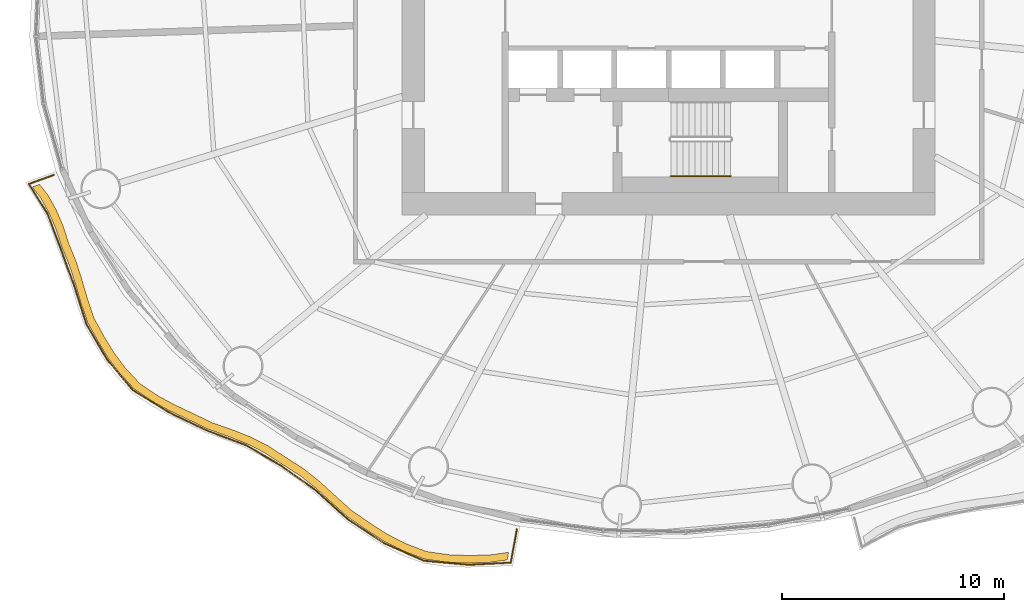
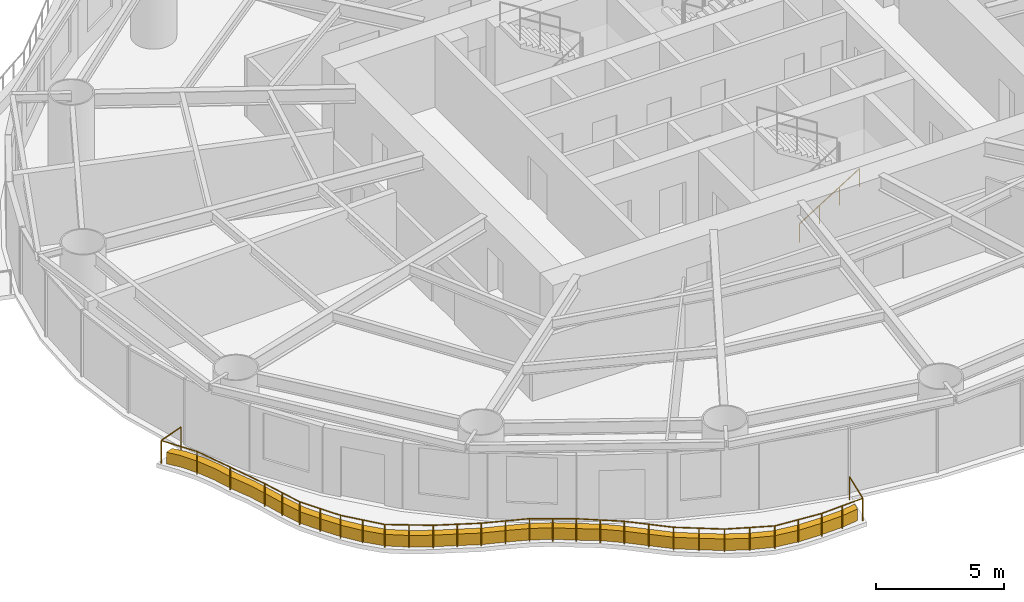
# One storey, part 12 of 16: 2 railings, 1 covering.
"""IFC4 building model written with IfcOpenShell, lengths in metres."""

from ifc_helpers import new_model, si_unit, direction, frame, origin, origin_2d, place, context, subcontext, project, spatial, polyline, circle, outline, extrude, material, type_object, element, save


model = new_model("IFC4")

# Units and contexts
model_context = context("Model", 3, precision=1e-05, world=origin(), true_north=direction((0.0, 1.0)))
body_context = subcontext(model_context, "Body", "Model", "MODEL_VIEW")
ifc_project = project(units=[si_unit("LENGTHUNIT", "METRE"), si_unit("AREAUNIT", "SQUARE_METRE"), si_unit("VOLUMEUNIT", "CUBIC_METRE"), si_unit("PLANEANGLEUNIT", "RADIAN"), si_unit("MASSUNIT", "GRAM", prefix="KILO")], contexts=[model_context])

# Site, building, storey
site_placement = place(None, origin())
site = spatial("IfcSite", under=ifc_project, at=site_placement, CompositionType="ELEMENT")
building_placement = place(site_placement, origin())
building = spatial("IfcBuilding", under=site, at=building_placement, Name="Vermilion Reach Broadcast Tower", CompositionType="ELEMENT")
storey_placement = place(building_placement, frame((0.0, 0.0, 43.39990234375)))
storey = spatial("IfcBuildingStorey", under=building, at=storey_placement, Name="L07", CompositionType="ELEMENT", Elevation=43.39990234375)

# Covering
ifc_material_1 = material(Name="Planting soil and greenery")
covering_type = type_object("IfcCoveringType", Name="Balcony PLANTER", PredefinedType="USERDEFINED", material=ifc_material_1)
covering_placement = place(storey_placement, origin())
element("IfcCovering", 1, at=covering_placement, inside=storey, type_object=covering_type, Name="PLANTER L07 group 3", ObjectType="PLANTER", PredefinedType="USERDEFINED", context=body_context, shape_type="SweptSolid", body=[
    extrude(outline(polyline([(-34.661376953125, -7.741943359375), (-34.289306640625, -8.219482421875), (-33.90185546875, -8.912353515625), (-33.589111328125, -9.638916015625), (-33.31396484375, -10.478271484375), (-32.968505859375, -11.32080078125), (-32.713623046875, -12.1181640625), (-32.47900390625, -12.9287109375), (-32.16064453125, -13.858154296875), (-31.676513671875, -14.727294921875), (-31.239990234375, -15.4453125), (-30.74169921875, -16.109375), (-30.068115234375, -16.837646484375), (-29.2255859375, -17.414306640625), (-28.457763671875, -17.826904296875), (-27.658203125, -18.203369140625), (-26.77099609375, -18.63623046875), (-25.82470703125, -18.975341796875), (-24.995361328125, -19.3037109375), (-24.2119140625, -19.700439453125), (-23.428955078125, -20.21484375), (-22.616455078125, -20.72998046875), (-21.902099609375, -21.2958984375), (-21.2158203125, -21.91748046875), (-20.444091796875, -22.6103515625), (-19.575927734375, -23.204345703125), (-18.790283203125, -23.708251953125), (-17.974365234375, -24.12939453125), (-16.992431640625, -24.498291015625), (-15.935302734375, -24.650390625), (-14.989501953125, -24.677978515625), (-14.029052734375, -24.644287109375), (-13.269287109375, -24.539794921875), (-13.20556640625, -24.195556640625), (-13.946533203125, -24.30419921875), (-14.9072265625, -24.337890625), (-15.852783203125, -24.310302734375), (-16.89111328125, -24.163330078125), (-17.85400390625, -23.80078125), (-18.670166015625, -23.379638671875), (-19.455810546875, -22.875732421875), (-20.304931640625, -22.289306640625), (-21.05810546875, -21.60498046875), (-21.744384765625, -20.983642578125), (-22.458740234375, -20.41748046875), (-23.25244140625, -19.91259765625), (-24.01708984375, -19.40966796875), (-24.80078125, -19.0126953125), (-25.630126953125, -18.684326171875), (-26.55810546875, -18.3583984375), (-27.427978515625, -17.939697265625), (-28.2275390625, -17.5634765625), (-28.995361328125, -17.150634765625), (-29.820556640625, -16.59033203125), (-30.47802734375, -15.879150390625), (-30.976318359375, -15.215087890625), (-31.412841796875, -14.4970703125), (-31.881103515625, -13.6474609375), (-32.185302734375, -12.73828125), (-32.419921875, -11.927734375), (-32.6748046875, -11.13037109375), (-33.0068359375, -10.310302734375), (-33.2705078125, -9.494384765625), (-33.583251953125, -8.767578125), (-33.970703125, -8.074951171875), (-34.332275390625, -7.622314453125), (-34.661376953125, -7.741943359375)])), origin(), (0.0, 0.0, 1.0), 0.550048828125),
])

# Railings
ifc_material_2 = material(Name="Stainless steel 316 balustrade", Category="steel")
railing_type_1 = type_object("IfcRailingType", Name="Balcony guard 1100", PredefinedType="BALUSTRADE", material=ifc_material_2)
railing_1_placement = place(storey_placement, frame((-33.6875, -7.19677734375, 0.0)))
element("IfcRailing", 2, at=railing_1_placement, inside=storey, type_object=railing_type_1, Name="Balcony guard L07 group 3", PredefinedType="BALUSTRADE", context=body_context, shape_type="SweptSolid", body=[
    extrude(circle(Radius=0.02490234375, at=origin_2d()), frame((0.0, 0.0, 1.0751953125), z_axis=(-0.939733775443, -0.341907050661, 0.0), x_axis=(0.341907050661, -0.939733775443, 0.0)), (0.0, 0.0, 1.0), 1.1953125),
    extrude(circle(Radius=0.02490234375, at=origin_2d()), frame((-1.123291015625, -0.40869140625, 1.0751953125), z_axis=(0.529443026054, -0.848345496931, 0.0), x_axis=(0.848345496931, 0.529443026054, 0.0)), (0.0, 0.0, 1.0), 1.579345703125),
    extrude(circle(Radius=0.02490234375, at=origin_2d()), frame((-0.287109375, -1.74853515625, 1.0751953125), z_axis=(0.351776760804, -0.936083922818, 0.0), x_axis=(0.936083922818, 0.351776760804, 0.0)), (0.0, 0.0, 1.0), 1.678955078125),
    extrude(circle(Radius=0.02490234375, at=origin_2d()), frame((0.303466796875, -3.320068359375, 1.0751953125), z_axis=(0.344303778578, -0.938858300308, 0.0), x_axis=(0.938858300308, 0.344303778578, 0.0)), (0.0, 0.0, 1.0), 1.752197265625),
    extrude(circle(Radius=0.02490234375, at=origin_2d()), frame((0.90673828125, -4.965087890625, 1.0751953125), z_axis=(0.30384193629, -0.952722455782, 0.0), x_axis=(0.952722455782, 0.30384193629, 0.0)), (0.0, 0.0, 1.0), 1.831298828125),
    extrude(circle(Radius=0.02490234375, at=origin_2d()), frame((1.463134765625, -6.709716796875, 1.0751953125), z_axis=(0.502113114935, -0.864801954097, 0.0), x_axis=(0.864801954097, 0.502113114935, 0.0)), (0.0, 0.0, 1.0), 1.84033203125),
    extrude(circle(Radius=0.02490234375, at=origin_2d()), frame((2.38720703125, -8.30126953125, 1.0751953125), z_axis=(0.644057480513, -0.764977098869, 0.0), x_axis=(0.764977098869, 0.644057480513, 0.0)), (0.0, 0.0, 1.0), 1.8251953125),
    extrude(circle(Radius=0.02490234375, at=origin_2d()), frame((3.562744140625, -9.697509765625, 1.0751953125), z_axis=(0.851768874289, -0.523917727122, 0.0), x_axis=(0.523917727122, 0.851768874289, 0.0)), (0.0, 0.0, 1.0), 1.895263671875),
    extrude(circle(Radius=0.02490234375, at=origin_2d()), frame((5.177001953125, -10.6904296875, 1.0751953125), z_axis=(0.90134427185, -0.43310334056, 0.0), x_axis=(0.43310334056, 0.90134427185, 0.0)), (0.0, 0.0, 1.0), 1.8759765625),
    extrude(circle(Radius=0.02490234375, at=origin_2d()), frame((6.867919921875, -11.5029296875, 1.0751953125), z_axis=(0.935811169009, -0.352501710576, 0.0), x_axis=(0.352501710576, 0.935811169009, 0.0)), (0.0, 0.0, 1.0), 1.90185546875),
    extrude(circle(Radius=0.02490234375, at=origin_2d()), frame((8.647705078125, -12.17333984375, 1.0751953125), z_axis=(0.864338780695, -0.502910004063, 0.0), x_axis=(0.502910004063, 0.864338780695, 0.0)), (0.0, 0.0, 1.0), 1.817138671875),
    extrude(circle(Radius=0.02490234375, at=origin_2d()), frame((10.21826171875, -13.087158203125, 1.0751953125), z_axis=(0.816267434611, -0.577674194675, 0.0), x_axis=(0.577674194675, 0.816267434611, 0.0)), (0.0, 0.0, 1.0), 1.875732421875),
    extrude(circle(Radius=0.02490234375, at=origin_2d()), frame((11.749267578125, -14.170654296875, 1.0751953125), z_axis=(0.743232446409, -0.669033280641, 0.0), x_axis=(0.669033280641, 0.743232446409, 0.0)), (0.0, 0.0, 1.0), 1.967529296875),
    extrude(circle(Radius=0.02490234375, at=origin_2d()), frame((13.211669921875, -15.487060546875, 1.0751953125), z_axis=(0.833406981594, -0.552659753401, 0.0), x_axis=(0.552659753401, 0.833406981594, 0.0)), (0.0, 0.0, 1.0), 1.98974609375),
    extrude(circle(Radius=0.02490234375, at=origin_2d()), frame((14.869873046875, -16.586669921875, 1.0751953125), z_axis=(0.915572744324, -0.402152396301, 0.0), x_axis=(0.402152396301, 0.915572744324, 0.0)), (0.0, 0.0, 1.0), 1.96826171875),
    extrude(circle(Radius=0.02490234375, at=origin_2d()), frame((16.671875, -17.378173828125, 1.0751953125), z_axis=(0.995963400554, -0.089760262687, 0.0), x_axis=(0.089760262687, 0.995963400554, 0.0)), (0.0, 0.0, 1.0), 2.015380859375),
    extrude(circle(Radius=0.02490234375, at=origin_2d()), frame((18.67919921875, -17.55908203125, 1.0751953125), z_axis=(0.998752338878, 0.049937616944, 0.0), x_axis=(-0.049937616944, 0.998752338878, 0.0)), (0.0, 0.0, 1.0), 1.90185546875),
    extrude(circle(Radius=0.02490234375, at=origin_2d()), frame((20.57861328125, -17.464111328125, 1.0751953125), z_axis=(0.181947001867, 0.983308338474, 0.0), x_axis=(-0.983308338474, 0.181947001867, 0.0)), (0.0, 0.0, 1.0), 1.536376953125),
    extrude(circle(Radius=0.02490234375, at=origin_2d()), origin(), (0.0, 0.0, 1.0), 1.050048828125),
    extrude(circle(Radius=0.02490234375, at=origin_2d()), frame((-1.123291015625, -0.40869140625, 0.0)), (0.0, 0.0, 1.0), 1.050048828125),
    extrude(circle(Radius=0.02490234375, at=origin_2d()), frame((-0.287109375, -1.74853515625, 0.0)), (0.0, 0.0, 1.0), 1.050048828125),
    extrude(circle(Radius=0.02490234375, at=origin_2d()), frame((0.303466796875, -3.320068359375, 0.0)), (0.0, 0.0, 1.0), 1.050048828125),
    extrude(circle(Radius=0.02490234375, at=origin_2d()), frame((0.90673828125, -4.965087890625, 0.0)), (0.0, 0.0, 1.0), 1.050048828125),
    extrude(circle(Radius=0.02490234375, at=origin_2d()), frame((1.18505859375, -5.83740234375, 0.0)), (0.0, 0.0, 1.0), 1.050048828125),
    extrude(circle(Radius=0.02490234375, at=origin_2d()), frame((1.463134765625, -6.709716796875, 0.0)), (0.0, 0.0, 1.0), 1.050048828125),
    extrude(circle(Radius=0.02490234375, at=origin_2d()), frame((1.92529296875, -7.50537109375, 0.0)), (0.0, 0.0, 1.0), 1.050048828125),
    extrude(circle(Radius=0.02490234375, at=origin_2d()), frame((2.38720703125, -8.30126953125, 0.0)), (0.0, 0.0, 1.0), 1.050048828125),
    extrude(circle(Radius=0.02490234375, at=origin_2d()), frame((2.97509765625, -8.99951171875, 0.0)), (0.0, 0.0, 1.0), 1.050048828125),
    extrude(circle(Radius=0.02490234375, at=origin_2d()), frame((3.562744140625, -9.697509765625, 0.0)), (0.0, 0.0, 1.0), 1.050048828125),
    extrude(circle(Radius=0.02490234375, at=origin_2d()), frame((4.369873046875, -10.19384765625, 0.0)), (0.0, 0.0, 1.0), 1.050048828125),
    extrude(circle(Radius=0.02490234375, at=origin_2d()), frame((5.177001953125, -10.6904296875, 0.0)), (0.0, 0.0, 1.0), 1.050048828125),
    extrude(circle(Radius=0.02490234375, at=origin_2d()), frame((6.0224609375, -11.0966796875, 0.0)), (0.0, 0.0, 1.0), 1.050048828125),
    extrude(circle(Radius=0.02490234375, at=origin_2d()), frame((6.867919921875, -11.5029296875, 0.0)), (0.0, 0.0, 1.0), 1.050048828125),
    extrude(circle(Radius=0.02490234375, at=origin_2d()), frame((7.7578125, -11.838134765625, 0.0)), (0.0, 0.0, 1.0), 1.050048828125),
    extrude(circle(Radius=0.02490234375, at=origin_2d()), frame((8.647705078125, -12.17333984375, 0.0)), (0.0, 0.0, 1.0), 1.050048828125),
    extrude(circle(Radius=0.02490234375, at=origin_2d()), frame((9.43310546875, -12.63037109375, 0.0)), (0.0, 0.0, 1.0), 1.050048828125),
    extrude(circle(Radius=0.02490234375, at=origin_2d()), frame((10.21826171875, -13.087158203125, 0.0)), (0.0, 0.0, 1.0), 1.050048828125),
    extrude(circle(Radius=0.02490234375, at=origin_2d()), frame((10.98388671875, -13.62890625, 0.0)), (0.0, 0.0, 1.0), 1.050048828125),
    extrude(circle(Radius=0.02490234375, at=origin_2d()), frame((11.749267578125, -14.170654296875, 0.0)), (0.0, 0.0, 1.0), 1.050048828125),
    extrude(circle(Radius=0.02490234375, at=origin_2d()), frame((12.48046875, -14.828857421875, 0.0)), (0.0, 0.0, 1.0), 1.050048828125),
    extrude(circle(Radius=0.02490234375, at=origin_2d()), frame((13.211669921875, -15.487060546875, 0.0)), (0.0, 0.0, 1.0), 1.050048828125),
    extrude(circle(Radius=0.02490234375, at=origin_2d()), frame((14.040771484375, -16.036865234375, 0.0)), (0.0, 0.0, 1.0), 1.050048828125),
    extrude(circle(Radius=0.02490234375, at=origin_2d()), frame((14.869873046875, -16.586669921875, 0.0)), (0.0, 0.0, 1.0), 1.050048828125),
    extrude(circle(Radius=0.02490234375, at=origin_2d()), frame((15.77099609375, -16.982421875, 0.0)), (0.0, 0.0, 1.0), 1.050048828125),
    extrude(circle(Radius=0.02490234375, at=origin_2d()), frame((16.671875, -17.378173828125, 0.0)), (0.0, 0.0, 1.0), 1.050048828125),
    extrude(circle(Radius=0.02490234375, at=origin_2d()), frame((17.675537109375, -17.46875, 0.0)), (0.0, 0.0, 1.0), 1.050048828125),
    extrude(circle(Radius=0.02490234375, at=origin_2d()), frame((18.67919921875, -17.55908203125, 0.0)), (0.0, 0.0, 1.0), 1.050048828125),
    extrude(circle(Radius=0.02490234375, at=origin_2d()), frame((19.62890625, -17.51171875, 0.0)), (0.0, 0.0, 1.0), 1.050048828125),
    extrude(circle(Radius=0.02490234375, at=origin_2d()), frame((20.57861328125, -17.464111328125, 0.0)), (0.0, 0.0, 1.0), 1.050048828125),
    extrude(circle(Radius=0.02490234375, at=origin_2d()), frame((20.858154296875, -15.953369140625, 0.0)), (0.0, 0.0, 1.0), 1.050048828125),
])
ifc_material_3 = material(Name="Stainless steel", Category="steel")
railing_type_2 = type_object("IfcRailingType", Name="Stair handrail", PredefinedType="HANDRAIL", material=ifc_material_3)
railing_2_placement = place(storey_placement, frame((-5.89990234375, -7.25, 0.168212890625)))
element("IfcRailing", 3, at=railing_2_placement, inside=storey, type_object=railing_type_2, Name="L07 ST3 stair handrail 1", PredefinedType="HANDRAIL", context=body_context, shape_type="SweptSolid", body=[
    extrude(circle(Radius=0.02392578125, at=origin_2d()), frame((0.0, 0.0, 0.8759765625), z_axis=(0.848786430784, 0.0, 0.528735846068), x_axis=(0.0, 1.0, 0.0)), (0.0, 0.0, 1.0), 3.180908203125),
    extrude(circle(Radius=0.02099609375, at=origin_2d()), origin(), (0.0, 0.0, 1.0), 0.851806640625),
    extrude(circle(Radius=0.02099609375, at=origin_2d()), frame((0.89990234375, 0.0, 0.560546875)), (0.0, 0.0, 1.0), 0.851806640625),
    extrude(circle(Radius=0.02099609375, at=origin_2d()), frame((1.800048828125, 0.0, 1.121337890625)), (0.0, 0.0, 1.0), 0.851806640625),
    extrude(circle(Radius=0.02099609375, at=origin_2d()), frame((2.699951171875, 0.0, 1.681884765625)), (0.0, 0.0, 1.0), 0.851806640625),
])

save(model, "model.ifc")
